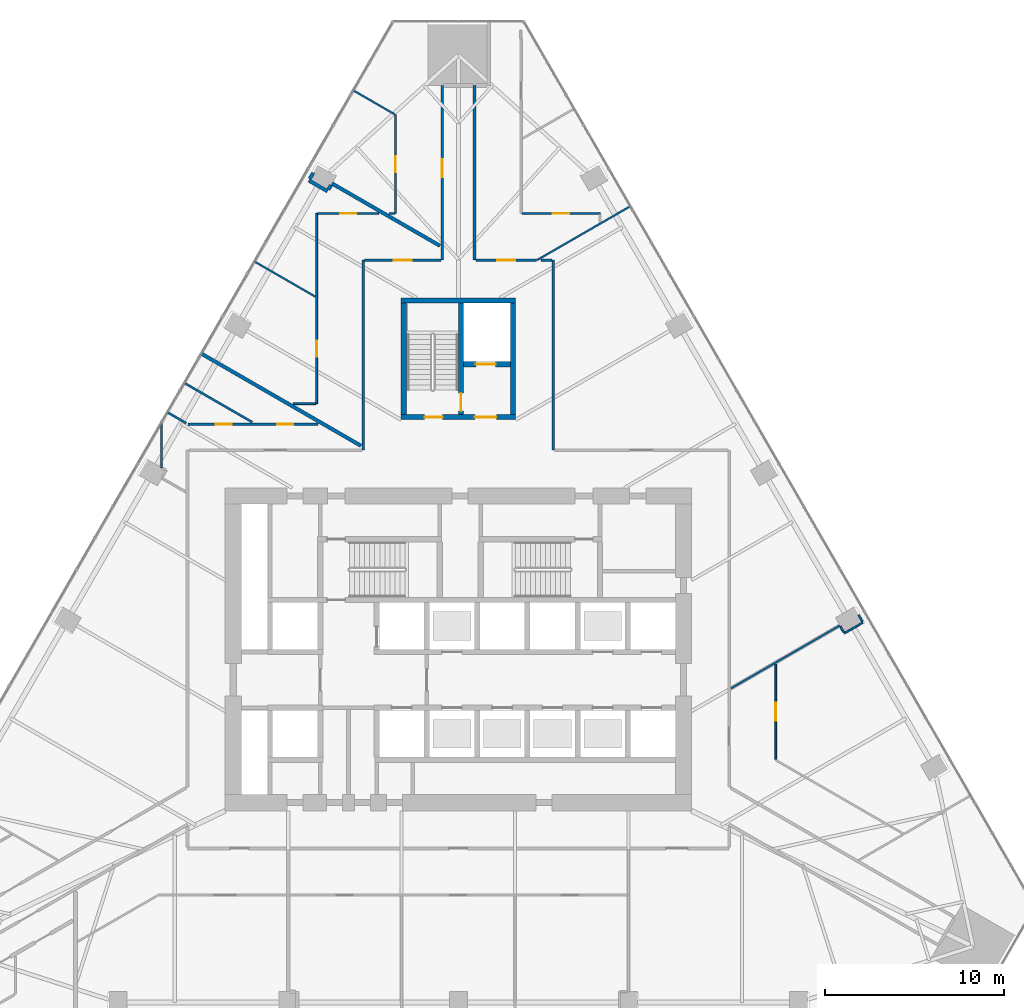
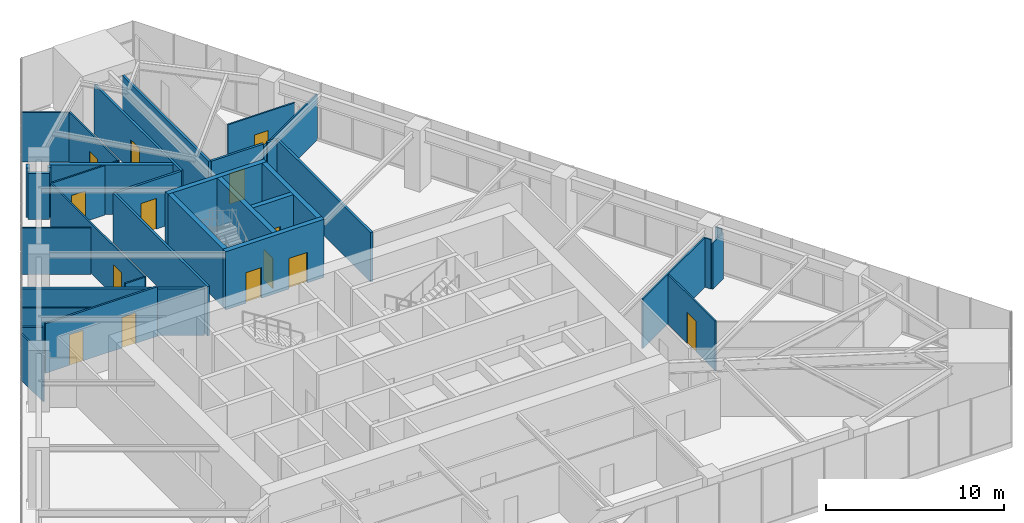
# One storey, part 18 of 21: 36 walls, 14 doors, 14 openings.
"""IFC4 building model written with IfcOpenShell, lengths in metres."""

from ifc_helpers import new_model, si_unit, direction, frame, frame_2d, origin, place, context, subcontext, project, spatial, rectangle, extrude, material, layer, layer_set, type_object, element, fill, save


model = new_model("IFC4")

# Units and contexts
model_context = context("Model", 3, precision=1e-05, world=origin(), true_north=direction((0.0, 1.0)))
body_context = subcontext(model_context, "Body", "Model", "MODEL_VIEW")
ifc_project = project(units=[si_unit("LENGTHUNIT", "METRE"), si_unit("AREAUNIT", "SQUARE_METRE"), si_unit("VOLUMEUNIT", "CUBIC_METRE"), si_unit("PLANEANGLEUNIT", "RADIAN"), si_unit("MASSUNIT", "GRAM", prefix="KILO")], contexts=[model_context])

# Site, building, storey
site_placement = place(None, origin())
site = spatial("IfcSite", under=ifc_project, at=site_placement, CompositionType="ELEMENT")
building_placement = place(site_placement, origin())
building = spatial("IfcBuilding", under=site, at=building_placement, Name="Firuza Gate Tower and Library", CompositionType="ELEMENT")
storey_placement = place(building_placement, frame((0.0, 0.0, 69.39990234375)))
storey = spatial("IfcBuildingStorey", under=building, at=storey_placement, Name="L15", CompositionType="ELEMENT", Elevation=69.39990234375)

# Wall, openings, doors
ifc_material_1 = material(Name="Concrete C80/95", Category="concrete")
ifc_layer_1 = layer(ifc_material_1, 0.300048828125)
ifc_layer_set_1 = layer_set([ifc_layer_1], Name="Core wall 300 C80/95")
wall_type_1 = type_object("IfcWallType", Name="Core wall 300 C80/95", PredefinedType="SHEAR", material=ifc_layer_set_1)
wall_1_placement = place(storey_placement, frame((71.800048828125, 87.949951171875, 0.0), z_axis=(0.0, 0.0, 1.0), x_axis=(1.0, 0.0, 0.0)))
wall_1 = element("IfcWall", 1, at=wall_1_placement, inside=storey, type_object=wall_type_1, Name="Core wall L15 34", PredefinedType="SHEAR", context=body_context, shape_type="SweptSolid", body=[
    extrude(rectangle(XDim=6.39990234375, YDim=0.300048828125, at=frame_2d((3.199951171875, 0.0))), origin(), (0.0, 0.0, 1.0), 4.0),
])
opening_1_placement = place(wall_1_placement, frame((1.324951171875, 0.0, 0.0)))
opening_1 = element("IfcOpeningElement", 2, at=opening_1_placement, cuts=wall_1, Name="Opening L15-K17", PredefinedType="OPENING", context=body_context, shape_type="SweptSolid", body=[
    extrude(rectangle(XDim=1.0, YDim=2.10009765625, at=frame_2d((0.5, 1.050048828125))), frame((0.0, 0.16015625, 0.0), z_axis=(0.0, -1.0, 0.0), x_axis=(1.0, 0.0, 0.0)), (0.0, 0.0, 1.0), 0.320068359375),
])
opening_2_placement = place(wall_1_placement, frame((4.125, 0.0, 0.0)))
opening_2 = element("IfcOpeningElement", 3, at=opening_2_placement, cuts=wall_1, Name="Opening L15-K19", PredefinedType="OPENING", context=body_context, shape_type="SweptSolid", body=[
    extrude(rectangle(XDim=1.199951171875, YDim=2.10009765625, at=frame_2d((0.60009765625, 1.050048828125))), frame((0.0, 0.16015625, 0.0), z_axis=(0.0, -1.0, 0.0), x_axis=(1.0, 0.0, 0.0)), (0.0, 0.0, 1.0), 0.320068359375),
])
ifc_material_2 = material(Name="Steel", Category="steel")
door_type_1 = type_object("IfcDoorType", Name="Fire door 1000x2100 FD90", OperationType="NOTDEFINED", PredefinedType="DOOR", material=ifc_material_2)
door_1_placement = place(opening_1_placement, origin())
door_1 = element("IfcDoor", 4, at=door_1_placement, inside=storey, type_object=door_type_1, Name="Door L15-K17", OperationType="SINGLE_SWING_RIGHT", OverallHeight=2.10009765625, OverallWidth=1.0, PredefinedType="DOOR", context=body_context, shape_type="SweptSolid", body=[
    extrude(rectangle(XDim=1.0, YDim=2.10009765625, at=frame_2d((0.5, 1.050048828125))), frame((0.0, 0.02490234375, 0.0), z_axis=(0.0, -1.0, 0.0), x_axis=(1.0, 0.0, 0.0)), (0.0, 0.0, 1.0), 0.050048828125),
])
fill(opening_1, door_1)
ifc_material_3 = material(Name="Steel", Category="steel")
door_type_2 = type_object("IfcDoorType", Name="Fire door 1200x2100 FD30S", OperationType="NOTDEFINED", PredefinedType="DOOR", material=ifc_material_3)
door_2_placement = place(opening_2_placement, origin())
door_2 = element("IfcDoor", 5, at=door_2_placement, inside=storey, type_object=door_type_2, Name="Door L15-K19", OperationType="SINGLE_SWING_RIGHT", OverallHeight=2.10009765625, OverallWidth=1.199951171875, PredefinedType="DOOR", context=body_context, shape_type="SweptSolid", body=[
    extrude(rectangle(XDim=1.199951171875, YDim=2.10009765625, at=frame_2d((0.60009765625, 1.050048828125))), frame((0.0, 0.02490234375, 0.0), z_axis=(0.0, -1.0, 0.0), x_axis=(1.0, 0.0, 0.0)), (0.0, 0.0, 1.0), 0.050048828125),
])
fill(opening_2, door_2)

# Walls
wall_2_placement = place(storey_placement, frame((71.800048828125, 94.449951171875, 0.0), z_axis=(0.0, 0.0, 1.0), x_axis=(1.0, 0.0, 0.0)))
element("IfcWall", 6, at=wall_2_placement, inside=storey, type_object=wall_type_1, Name="Core wall L15 35", PredefinedType="SHEAR", context=body_context, shape_type="SweptSolid", body=[
    extrude(rectangle(XDim=6.39990234375, YDim=0.300048828125, at=frame_2d((3.199951171875, 0.0))), origin(), (0.0, 0.0, 1.0), 4.0),
])
for number, where, z_axis, x_axis, name in (
    (7, (71.949951171875, 88.10009765625, 0.0), (0.0, 0.0, 1.0), (0.0, 1.0, 0.0), "Core wall L15 36"),
    (8, (78.050048828125, 88.10009765625, 0.0), (0.0, 0.0, 1.0), (0.0, 1.0, 0.0), "Core wall L15 37"),
):
    element("IfcWall", number, at=place(storey_placement, frame(where, z_axis=z_axis, x_axis=x_axis)), inside=storey, type_object=wall_type_1, Name=name, PredefinedType="SHEAR", context=body_context, shape_type="SweptSolid", body=[
        extrude(rectangle(XDim=6.199951171875, YDim=0.300048828125, at=frame_2d((3.10009765625, 0.0))), origin(), (0.0, 0.0, 1.0), 4.0),
    ])

# Wall, opening, door
wall_3_placement = place(storey_placement, frame((75.300048828125, 90.89990234375, 0.0), z_axis=(0.0, 0.0, 1.0), x_axis=(1.0, 0.0, 0.0)))
wall_3 = element("IfcWall", 9, at=wall_3_placement, inside=storey, type_object=wall_type_1, Name="Core wall L15 38", PredefinedType="SHEAR", context=body_context, shape_type="SweptSolid", body=[
    extrude(rectangle(XDim=2.599853515625, YDim=0.300048828125, at=frame_2d((1.2998046875, 0.0))), origin(), (0.0, 0.0, 1.0), 4.0),
])
opening_3_placement = place(wall_3_placement, frame((0.675048828125, 0.0, 0.0)))
opening_3 = element("IfcOpeningElement", 10, at=opening_3_placement, cuts=wall_3, Name="Opening LD-SV1-L15", PredefinedType="OPENING", context=body_context, shape_type="SweptSolid", body=[
    extrude(rectangle(XDim=1.10009765625, YDim=2.10009765625, at=frame_2d((0.550048828125, 1.050048828125))), frame((0.0, 0.16015625, 0.0), z_axis=(0.0, -1.0, 0.0), x_axis=(1.0, 0.0, 0.0)), (0.0, 0.0, 1.0), 0.320068359375),
])
ifc_material_4 = material(Name="Stainless steel", Category="steel")
door_type_3 = type_object("IfcDoorType", Name="Lift landing door 1100x2100", OperationType="DOUBLE_DOOR_SLIDING", PredefinedType="DOOR", material=ifc_material_4)
door_3_placement = place(opening_3_placement, origin())
door_3 = element("IfcDoor", 11, at=door_3_placement, inside=storey, type_object=door_type_3, Name="Landing door SV1 L15", OperationType="DOUBLE_DOOR_SLIDING", OverallHeight=2.10009765625, OverallWidth=1.10009765625, PredefinedType="DOOR", context=body_context, shape_type="SweptSolid", body=[
    extrude(rectangle(XDim=1.10009765625, YDim=2.10009765625, at=frame_2d((0.550048828125, 1.050048828125))), frame((0.0, 0.02490234375, 0.0), z_axis=(0.0, -1.0, 0.0), x_axis=(1.0, 0.0, 0.0)), (0.0, 0.0, 1.0), 0.050048828125),
])
fill(opening_3, door_3)

wall_4_placement = place(storey_placement, frame((75.14990234375, 88.10009765625, 0.0), z_axis=(0.0, 0.0, 1.0), x_axis=(0.0, 1.0, 0.0)))
wall_4 = element("IfcWall", 12, at=wall_4_placement, inside=storey, type_object=wall_type_1, Name="Core wall L15 39", PredefinedType="SHEAR", context=body_context, shape_type="SweptSolid", body=[
    extrude(rectangle(XDim=6.199951171875, YDim=0.300048828125, at=frame_2d((3.10009765625, 0.0))), origin(), (0.0, 0.0, 1.0), 4.0),
])
opening_4_placement = place(wall_4_placement, frame((0.18505859375, 0.0, 0.0)))
opening_4 = element("IfcOpeningElement", 13, at=opening_4_placement, cuts=wall_4, Name="Opening L15-K18", PredefinedType="OPENING", context=body_context, shape_type="SweptSolid", body=[
    extrude(rectangle(XDim=1.0, YDim=2.10009765625, at=frame_2d((0.5, 1.050048828125))), frame((0.0, 0.16015625, 0.0), z_axis=(0.0, -1.0, 0.0), x_axis=(1.0, 0.0, 0.0)), (0.0, 0.0, 1.0), 0.320068359375),
])
door_4_placement = place(opening_4_placement, origin())
door_4 = element("IfcDoor", 14, at=door_4_placement, inside=storey, type_object=door_type_1, Name="Door L15-K18", OperationType="SINGLE_SWING_LEFT", OverallHeight=2.10009765625, OverallWidth=1.0, PredefinedType="DOOR", context=body_context, shape_type="SweptSolid", body=[
    extrude(rectangle(XDim=1.0, YDim=2.10009765625, at=frame_2d((0.5, 1.050048828125))), frame((0.0, 0.02490234375, 0.0), z_axis=(0.0, -1.0, 0.0), x_axis=(1.0, 0.0, 0.0)), (0.0, 0.0, 1.0), 0.050048828125),
])
fill(opening_4, door_4)

ifc_material_5 = material(Name="Gypsum board partition")
ifc_layer_2 = layer(ifc_material_5, 0.14990234375)
ifc_layer_set_2 = layer_set([ifc_layer_2], Name="Corridor wall 150 double board on steel studs")
wall_type_2 = type_object("IfcWallType", Name="Corridor wall 150 double board on steel studs", PredefinedType="PARTITIONING", material=ifc_layer_set_2)
wall_5_placement = place(storey_placement, frame((74.02490234375, 96.699951171875, 0.0), z_axis=(0.0, 0.0, 1.0), x_axis=(-1.0, 0.0, 0.0)))
wall_5 = element("IfcWall", 15, at=wall_5_placement, inside=storey, type_object=wall_type_2, Name="f:L15:w008", PredefinedType="PARTITIONING", context=body_context, shape_type="SweptSolid", body=[
    extrude(rectangle(XDim=4.25, YDim=0.14990234375, at=frame_2d((2.125, 0.0))), origin(), (0.0, 0.0, 1.0), 3.400146484375),
])
opening_5_placement = place(wall_5_placement, frame((1.625, 0.0, 0.0)))
opening_5 = element("IfcOpeningElement", 16, at=opening_5_placement, cuts=wall_5, Name="Opening L15-12", PredefinedType="OPENING", context=body_context, shape_type="SweptSolid", body=[
    extrude(rectangle(XDim=1.0, YDim=2.10009765625, at=frame_2d((0.5, 1.050048828125))), frame((0.0, 0.0849609375, 0.0), z_axis=(0.0, -1.0, 0.0), x_axis=(1.0, 0.0, 0.0)), (0.0, 0.0, 1.0), 0.169921875),
])
ifc_material_6 = material(Name="Steel door and timber leaf", Category="steel")
door_type_4 = type_object("IfcDoorType", Name="Fire door 1000 x 2100 steel frame, timber leaf", OperationType="NOTDEFINED", PredefinedType="DOOR", material=ifc_material_6)
door_5_placement = place(opening_5_placement, origin())
door_5 = element("IfcDoor", 17, at=door_5_placement, inside=storey, type_object=door_type_4, Name="f:L15:d012", OperationType="SINGLE_SWING_LEFT", OverallHeight=2.10009765625, OverallWidth=1.0, PredefinedType="DOOR", context=body_context, shape_type="SweptSolid", body=[
    extrude(rectangle(XDim=1.0, YDim=2.10009765625, at=frame_2d((0.5, 1.050048828125))), frame((0.0, 0.02490234375, 0.0), z_axis=(0.0, -1.0, 0.0), x_axis=(1.0, 0.0, 0.0)), (0.0, 0.0, 1.0), 0.050048828125),
])
fill(opening_5, door_5)

wall_6_placement = place(storey_placement, frame((75.97509765625, 96.699951171875, 0.0), z_axis=(0.0, 0.0, 1.0), x_axis=(1.0, 0.0, 0.0)))
wall_6 = element("IfcWall", 18, at=wall_6_placement, inside=storey, type_object=wall_type_2, Name="f:L15:w009", PredefinedType="PARTITIONING", context=body_context, shape_type="SweptSolid", body=[
    extrude(rectangle(XDim=3.386962890625, YDim=0.14990234375, at=frame_2d((1.693359375, 0.0))), origin(), (0.0, 0.0, 1.0), 3.400146484375),
])
opening_6_placement = place(wall_6_placement, frame((1.193603515625, 0.0, 0.0)))
opening_6 = element("IfcOpeningElement", 19, at=opening_6_placement, cuts=wall_6, Name="Opening L15-13", PredefinedType="OPENING", context=body_context, shape_type="SweptSolid", body=[
    extrude(rectangle(XDim=1.0, YDim=2.10009765625, at=frame_2d((0.5, 1.050048828125))), frame((0.0, 0.0849609375, 0.0), z_axis=(0.0, -1.0, 0.0), x_axis=(1.0, 0.0, 0.0)), (0.0, 0.0, 1.0), 0.169921875),
])
door_6_placement = place(opening_6_placement, origin())
door_6 = element("IfcDoor", 20, at=door_6_placement, inside=storey, type_object=door_type_4, Name="f:L15:d013", OperationType="SINGLE_SWING_LEFT", OverallHeight=2.10009765625, OverallWidth=1.0, PredefinedType="DOOR", context=body_context, shape_type="SweptSolid", body=[
    extrude(rectangle(XDim=1.0, YDim=2.10009765625, at=frame_2d((0.5, 1.050048828125))), frame((0.0, 0.02490234375, 0.0), z_axis=(0.0, -1.0, 0.0), x_axis=(1.0, 0.0, 0.0)), (0.0, 0.0, 1.0), 0.050048828125),
])
fill(opening_6, door_6)

# Walls
wall_7_placement = place(storey_placement, frame((80.300048828125, 86.10009765625, 0.0), z_axis=(0.0, 0.0, 1.0), x_axis=(0.0, 1.0, 0.0)))
element("IfcWall", 21, at=wall_7_placement, inside=storey, type_object=wall_type_2, Name="f:L15:w035", PredefinedType="PARTITIONING", context=body_context, shape_type="SweptSolid", body=[
    extrude(rectangle(XDim=10.599365234375, YDim=0.14990234375, at=frame_2d((5.2998046875, 0.0))), origin(), (0.0, 0.0, 1.0), 3.400146484375),
])
wall_8_placement = place(storey_placement, frame((75.89990234375, 96.699951171875, 0.0), z_axis=(0.0, 0.0, 1.0), x_axis=(0.0, 1.0, 0.0)))
element("IfcWall", 22, at=wall_8_placement, inside=storey, type_object=wall_type_2, Name="f:L15:w040", PredefinedType="PARTITIONING", context=body_context, shape_type="SweptSolid", body=[
    extrude(rectangle(XDim=9.736572265625, YDim=0.14990234375, at=frame_2d((4.8681640625, 0.0))), origin(), (0.0, 0.0, 1.0), 3.400146484375),
])

# Wall, opening, door
wall_9_placement = place(storey_placement, frame((74.10009765625, 96.699951171875, 0.0), z_axis=(0.0, 0.0, 1.0), x_axis=(0.0, 1.0, 0.0)))
wall_9 = element("IfcWall", 23, at=wall_9_placement, inside=storey, type_object=wall_type_2, Name="f:L15:w041", PredefinedType="PARTITIONING", context=body_context, shape_type="SweptSolid", body=[
    extrude(rectangle(XDim=9.736083984375, YDim=0.14990234375, at=frame_2d((4.8681640625, 0.0))), origin(), (0.0, 0.0, 1.0), 3.400146484375),
])
opening_7_placement = place(wall_9_placement, frame((4.62890625, 0.0, 0.0)))
opening_7 = element("IfcOpeningElement", 24, at=opening_7_placement, cuts=wall_9, Name="Opening L15-25", PredefinedType="OPENING", context=body_context, shape_type="SweptSolid", body=[
    extrude(rectangle(XDim=1.0, YDim=2.10009765625, at=frame_2d((0.5, 1.050048828125))), frame((0.0, 0.0849609375, 0.0), z_axis=(0.0, -1.0, 0.0), x_axis=(1.0, 0.0, 0.0)), (0.0, 0.0, 1.0), 0.169921875),
])
door_7_placement = place(opening_7_placement, origin())
door_7 = element("IfcDoor", 25, at=door_7_placement, inside=storey, type_object=door_type_4, Name="f:L15:d025", OperationType="SINGLE_SWING_RIGHT", OverallHeight=2.10009765625, OverallWidth=1.0, PredefinedType="DOOR", context=body_context, shape_type="SweptSolid", body=[
    extrude(rectangle(XDim=1.0, YDim=2.10009765625, at=frame_2d((0.5, 1.050048828125))), frame((0.0, 0.02490234375, 0.0), z_axis=(0.0, -1.0, 0.0), x_axis=(1.0, 0.0, 0.0)), (0.0, 0.0, 1.0), 0.050048828125),
])
fill(opening_7, door_7)

# Walls
wall_10_placement = place(storey_placement, frame((69.699951171875, 86.10009765625, 0.0), z_axis=(0.0, 0.0, 1.0), x_axis=(0.0, 1.0, 0.0)))
element("IfcWall", 26, at=wall_10_placement, inside=storey, type_object=wall_type_2, Name="f:L15:w044", PredefinedType="PARTITIONING", context=body_context, shape_type="SweptSolid", body=[
    extrude(rectangle(XDim=10.599853515625, YDim=0.14990234375, at=frame_2d((5.2998046875, 0.0))), origin(), (0.0, 0.0, 1.0), 3.400146484375),
])
wall_11_placement = place(storey_placement, frame((79.6171875, 96.699951171875, 0.0), z_axis=(0.0, 0.0, 1.0), x_axis=(1.0, 0.0, 0.0)))
element("IfcWall", 27, at=wall_11_placement, inside=storey, type_object=wall_type_2, Name="f:L15:w074", PredefinedType="PARTITIONING", context=body_context, shape_type="SweptSolid", body=[
    extrude(rectangle(XDim=0.607177734375, YDim=0.14990234375, at=frame_2d((0.3037109375, 0.0))), origin(), (0.0, 0.0, 1.0), 3.400146484375),
])
ifc_material_7 = material(Name="Gypsum board partition")
ifc_layer_3 = layer(ifc_material_7, 0.199951171875)
ifc_layer_set_3 = layer_set([ifc_layer_3], Name="Demising wall 200 acoustic double stud")
wall_type_3 = type_object("IfcWallType", Name="Demising wall 200 acoustic double stud", PredefinedType="PARTITIONING", material=ifc_layer_set_3)
wall_12_placement = place(storey_placement, frame((67.761474609375, 100.63427734375, 0.0), z_axis=(0.0, 0.0, 1.0), x_axis=(0.500305662732, 0.865848857387, 0.0)))
element("IfcWall", 28, at=wall_12_placement, inside=storey, type_object=wall_type_3, Name="f:L15:w027", PredefinedType="PARTITIONING", context=body_context, shape_type="SweptSolid", body=[
    extrude(rectangle(XDim=0.289794921875, YDim=0.199951171875, at=frame_2d((0.14501953125, 0.0))), origin(), (0.0, 0.0, 1.0), 3.400146484375),
])
wall_13_placement = place(storey_placement, frame((66.720703125, 101.231689453125, 0.0), z_axis=(0.0, 0.0, 1.0), x_axis=(0.500080938595, 0.865978668822, 0.0)))
element("IfcWall", 29, at=wall_13_placement, inside=storey, type_object=wall_type_3, Name="f:L15:w028", PredefinedType="PARTITIONING", context=body_context, shape_type="SweptSolid", body=[
    extrude(rectangle(XDim=0.39306640625, YDim=0.199951171875, at=frame_2d((0.196533203125, 0.0))), origin(), (0.0, 0.0, 1.0), 3.400146484375),
])
wall_14_placement = place(storey_placement, frame((73.973388671875, 97.498779296875, 0.0), z_axis=(0.0, 0.0, 1.0), x_axis=(-0.866037536751, 0.499978984496, 0.0)))
element("IfcWall", 30, at=wall_14_placement, inside=storey, type_object=wall_type_3, Name="f:L15:w060", PredefinedType="PARTITIONING", context=body_context, shape_type="SweptSolid", body=[
    extrude(rectangle(XDim=6.947509765625, YDim=0.199951171875, at=frame_2d((3.4736328125, 0.0))), origin(), (0.0, 0.0, 1.0), 3.400146484375),
])
wall_15_placement = place(storey_placement, frame((67.70654296875, 100.539306640625, 0.0), z_axis=(0.0, 0.0, 1.0), x_axis=(-0.865955154139, 0.50012165622, 0.0)))
element("IfcWall", 31, at=wall_15_placement, inside=storey, type_object=wall_type_3, Name="f:L15:w061", PredefinedType="PARTITIONING", context=body_context, shape_type="SweptSolid", body=[
    extrude(rectangle(XDim=1.199951171875, YDim=0.199951171875, at=frame_2d((0.60009765625, 0.0))), origin(), (0.0, 0.0, 1.0), 3.1650390625),
])
wall_16_placement = place(storey_placement, frame((69.572998046875, 86.347900390625, 0.0), z_axis=(0.0, 0.0, 1.0), x_axis=(-0.866024495625, 0.500001572974, 0.0)))
element("IfcWall", 32, at=wall_16_placement, inside=storey, type_object=wall_type_3, Name="f:L15:w063", PredefinedType="PARTITIONING", context=body_context, shape_type="SweptSolid", body=[
    extrude(rectangle(XDim=10.27197265625, YDim=0.199951171875, at=frame_2d((5.135986328125, 0.0))), origin(), (0.0, 0.0, 1.0), 3.1650390625),
])
ifc_material_8 = material(Name="Gypsum board partition")
ifc_layer_4 = layer(ifc_material_8, 0.10009765625)
ifc_layer_set_4 = layer_set([ifc_layer_4], Name="Partition 100 gypsum board on steel studs")
wall_type_4 = type_object("IfcWallType", Name="Partition 100 gypsum board on steel studs", PredefinedType="PARTITIONING", material=ifc_layer_set_4)
wall_17_placement = place(storey_placement, frame((65.788818359375, 88.699951171875, 0.0), z_axis=(0.0, 0.0, 1.0), x_axis=(1.0, 0.0, 0.0)))
element("IfcWall", 33, at=wall_17_placement, inside=storey, type_object=wall_type_4, Name="f:L15:w007", PredefinedType="PARTITIONING", context=body_context, shape_type="SweptSolid", body=[
    extrude(rectangle(XDim=1.26123046875, YDim=0.10009765625, at=frame_2d((0.630615234375, 0.0))), origin(), (0.0, 0.0, 1.0), 3.400146484375),
])

# Wall, opening, door
wall_18_placement = place(storey_placement, frame((70.566650390625, 99.300048828125, 0.0), z_axis=(0.0, 0.0, 1.0), x_axis=(-1.0, 0.0, 0.0)))
wall_18 = element("IfcWall", 34, at=wall_18_placement, inside=storey, type_object=wall_type_4, Name="f:L15:w010", PredefinedType="PARTITIONING", context=body_context, shape_type="SweptSolid", body=[
    extrude(rectangle(XDim=3.416748046875, YDim=0.10009765625, at=frame_2d((1.70849609375, 0.0))), origin(), (0.0, 0.0, 1.0), 3.400146484375),
])
opening_8_placement = place(wall_18_placement, frame((1.25830078125, 0.0, 0.0)))
opening_8 = element("IfcOpeningElement", 35, at=opening_8_placement, cuts=wall_18, Name="Opening L15-14", PredefinedType="OPENING", context=body_context, shape_type="SweptSolid", body=[
    extrude(rectangle(XDim=0.89990234375, YDim=2.10009765625, at=frame_2d((0.449951171875, 1.050048828125))), frame((0.0, 0.06005859375, 0.0), z_axis=(0.0, -1.0, 0.0), x_axis=(1.0, 0.0, 0.0)), (0.0, 0.0, 1.0), 0.1201171875),
])
ifc_material_9 = material(Name="Timber door", Category="wood")
door_type_5 = type_object("IfcDoorType", Name="Door 900 x 2100 timber leaf", OperationType="NOTDEFINED", PredefinedType="DOOR", material=ifc_material_9)
door_8_placement = place(opening_8_placement, origin())
door_8 = element("IfcDoor", 36, at=door_8_placement, inside=storey, type_object=door_type_5, Name="f:L15:d014", OperationType="SINGLE_SWING_RIGHT", OverallHeight=2.10009765625, OverallWidth=0.89990234375, PredefinedType="DOOR", context=body_context, shape_type="SweptSolid", body=[
    extrude(rectangle(XDim=0.89990234375, YDim=2.10009765625, at=frame_2d((0.449951171875, 1.050048828125))), frame((0.0, 0.02490234375, 0.0), z_axis=(0.0, -1.0, 0.0), x_axis=(1.0, 0.0, 0.0)), (0.0, 0.0, 1.0), 0.050048828125),
])
fill(opening_8, door_8)

wall_19_placement = place(storey_placement, frame((78.550048828125, 99.300048828125, 0.0), z_axis=(0.0, 0.0, 1.0), x_axis=(1.0, 0.0, 0.0)))
wall_19 = element("IfcWall", 37, at=wall_19_placement, inside=storey, type_object=wall_type_4, Name="f:L15:w011", PredefinedType="PARTITIONING", context=body_context, shape_type="SweptSolid", body=[
    extrude(rectangle(XDim=4.349365234375, YDim=0.10009765625, at=frame_2d((2.1748046875, 0.0))), origin(), (0.0, 0.0, 1.0), 3.400146484375),
])
opening_9_placement = place(wall_19_placement, frame((1.724853515625, 0.0, 0.0)))
opening_9 = element("IfcOpeningElement", 38, at=opening_9_placement, cuts=wall_19, Name="Opening L15-15", PredefinedType="OPENING", context=body_context, shape_type="SweptSolid", body=[
    extrude(rectangle(XDim=0.89990234375, YDim=2.10009765625, at=frame_2d((0.449951171875, 1.050048828125))), frame((0.0, 0.06005859375, 0.0), z_axis=(0.0, -1.0, 0.0), x_axis=(1.0, 0.0, 0.0)), (0.0, 0.0, 1.0), 0.1201171875),
])
door_9_placement = place(opening_9_placement, origin())
door_9 = element("IfcDoor", 39, at=door_9_placement, inside=storey, type_object=door_type_5, Name="f:L15:d015", OperationType="SINGLE_SWING_RIGHT", OverallHeight=2.10009765625, OverallWidth=0.89990234375, PredefinedType="DOOR", context=body_context, shape_type="SweptSolid", body=[
    extrude(rectangle(XDim=0.89990234375, YDim=2.10009765625, at=frame_2d((0.449951171875, 1.050048828125))), frame((0.0, 0.02490234375, 0.0), z_axis=(0.0, -1.0, 0.0), x_axis=(1.0, 0.0, 0.0)), (0.0, 0.0, 1.0), 0.050048828125),
])
fill(opening_9, door_9)

# Walls
wall_20_placement = place(storey_placement, frame((96.521728515625, 75.89599609375, 0.0), z_axis=(0.0, 0.0, 1.0), x_axis=(0.865978732077, 0.500080829057, 0.0)))
element("IfcWall", 40, at=wall_20_placement, inside=storey, type_object=wall_type_4, Name="f:L15:w014", PredefinedType="PARTITIONING", context=body_context, shape_type="SweptSolid", body=[
    extrude(rectangle(XDim=1.198974609375, YDim=0.10009765625, at=frame_2d((0.599609375, 0.0))), origin(), (0.0, 0.0, 1.0), 3.1650390625),
])
wall_21_placement = place(storey_placement, frame((90.20068359375, 72.823974609375, 0.0), z_axis=(0.0, 0.0, 1.0), x_axis=(0.866028979627, 0.499993806408, 0.0)))
element("IfcWall", 41, at=wall_21_placement, inside=storey, type_object=wall_type_4, Name="f:L15:w015", PredefinedType="PARTITIONING", context=body_context, shape_type="SweptSolid", body=[
    extrude(rectangle(XDim=7.00927734375, YDim=0.10009765625, at=frame_2d((3.504638671875, 0.0))), origin(), (0.0, 0.0, 1.0), 3.400146484375),
])
wall_22_placement = place(storey_placement, frame((79.386962890625, 96.699951171875, 0.0), z_axis=(0.0, 0.0, 1.0), x_axis=(0.866032365835, 0.499987941182, 0.0)))
element("IfcWall", 42, at=wall_22_placement, inside=storey, type_object=wall_type_4, Name="f:L15:w023", PredefinedType="PARTITIONING", context=body_context, shape_type="SweptSolid", body=[
    extrude(rectangle(XDim=5.996826171875, YDim=0.10009765625, at=frame_2d((2.99853515625, 0.0))), origin(), (0.0, 0.0, 1.0), 3.1650390625),
])

# Wall, opening, door
wall_23_placement = place(storey_placement, frame((92.699951171875, 74.1787109375, 0.0), z_axis=(0.0, 0.0, 1.0), x_axis=(0.0, -1.0, 0.0)))
wall_23 = element("IfcWall", 43, at=wall_23_placement, inside=storey, type_object=wall_type_4, Name="f:L15:w029", PredefinedType="PARTITIONING", context=body_context, shape_type="SweptSolid", body=[
    extrude(rectangle(XDim=5.298583984375, YDim=0.10009765625, at=frame_2d((2.6494140625, 0.0))), origin(), (0.0, 0.0, 1.0), 3.400146484375),
])
opening_10_placement = place(wall_23_placement, frame((2.1494140625, 0.0, 0.0)))
opening_10 = element("IfcOpeningElement", 44, at=opening_10_placement, cuts=wall_23, Name="Opening L15-22", PredefinedType="OPENING", context=body_context, shape_type="SweptSolid", body=[
    extrude(rectangle(XDim=1.0, YDim=2.10009765625, at=frame_2d((0.5, 1.050048828125))), frame((0.0, 0.06005859375, 0.0), z_axis=(0.0, -1.0, 0.0), x_axis=(1.0, 0.0, 0.0)), (0.0, 0.0, 1.0), 0.1201171875),
])
ifc_material_10 = material(Name="Timber door", Category="wood")
door_type_6 = type_object("IfcDoorType", Name="Door 1000 x 2100 timber leaf", OperationType="NOTDEFINED", PredefinedType="DOOR", material=ifc_material_10)
door_10_placement = place(opening_10_placement, origin())
door_10 = element("IfcDoor", 45, at=door_10_placement, inside=storey, type_object=door_type_6, Name="f:L15:d022", OperationType="SINGLE_SWING_LEFT", OverallHeight=2.10009765625, OverallWidth=1.0, PredefinedType="DOOR", context=body_context, shape_type="SweptSolid", body=[
    extrude(rectangle(XDim=1.0, YDim=2.10009765625, at=frame_2d((0.5, 1.050048828125))), frame((0.0, 0.02490234375, 0.0), z_axis=(0.0, -1.0, 0.0), x_axis=(1.0, 0.0, 0.0)), (0.0, 0.0, 1.0), 0.050048828125),
])
fill(opening_10, door_10)

wall_24_placement = place(storey_placement, frame((71.5, 104.80078125, 0.0), z_axis=(0.0, 0.0, 1.0), x_axis=(0.0, -1.0, 0.0)))
wall_24 = element("IfcWall", 46, at=wall_24_placement, inside=storey, type_object=wall_type_4, Name="f:L15:w043", PredefinedType="PARTITIONING", context=body_context, shape_type="SweptSolid", body=[
    extrude(rectangle(XDim=5.500732421875, YDim=0.10009765625, at=frame_2d((2.75048828125, 0.0))), origin(), (0.0, 0.0, 1.0), 3.400146484375),
])
opening_11_placement = place(wall_24_placement, frame((2.300537109375, 0.0, 0.0)))
opening_11 = element("IfcOpeningElement", 47, at=opening_11_placement, cuts=wall_24, Name="Opening L15-26", PredefinedType="OPENING", context=body_context, shape_type="SweptSolid", body=[
    extrude(rectangle(XDim=0.89990234375, YDim=2.10009765625, at=frame_2d((0.449951171875, 1.050048828125))), frame((0.0, 0.06005859375, 0.0), z_axis=(0.0, -1.0, 0.0), x_axis=(1.0, 0.0, 0.0)), (0.0, 0.0, 1.0), 0.1201171875),
])
door_11_placement = place(opening_11_placement, origin())
door_11 = element("IfcDoor", 48, at=door_11_placement, inside=storey, type_object=door_type_5, Name="f:L15:d026", OperationType="SINGLE_SWING_RIGHT", OverallHeight=2.10009765625, OverallWidth=0.89990234375, PredefinedType="DOOR", context=body_context, shape_type="SweptSolid", body=[
    extrude(rectangle(XDim=0.89990234375, YDim=2.10009765625, at=frame_2d((0.449951171875, 1.050048828125))), frame((0.0, 0.02490234375, 0.0), z_axis=(0.0, -1.0, 0.0), x_axis=(1.0, 0.0, 0.0)), (0.0, 0.0, 1.0), 0.050048828125),
])
fill(opening_11, door_11)

wall_25_placement = place(storey_placement, frame((67.10009765625, 99.300048828125, 0.0), z_axis=(0.0, 0.0, 1.0), x_axis=(0.0, -1.0, 0.0)))
wall_25 = element("IfcWall", 49, at=wall_25_placement, inside=storey, type_object=wall_type_4, Name="f:L15:w045", PredefinedType="PARTITIONING", context=body_context, shape_type="SweptSolid", body=[
    extrude(rectangle(XDim=10.60009765625, YDim=0.10009765625, at=frame_2d((5.300048828125, 0.0))), origin(), (0.0, 0.0, 1.0), 3.400146484375),
])
opening_12_placement = place(wall_25_placement, frame((7.087646484375, 0.0, 0.0)))
opening_12 = element("IfcOpeningElement", 50, at=opening_12_placement, cuts=wall_25, Name="Opening L15-27", PredefinedType="OPENING", context=body_context, shape_type="SweptSolid", body=[
    extrude(rectangle(XDim=0.89990234375, YDim=2.10009765625, at=frame_2d((0.449951171875, 1.050048828125))), frame((0.0, 0.06005859375, 0.0), z_axis=(0.0, -1.0, 0.0), x_axis=(1.0, 0.0, 0.0)), (0.0, 0.0, 1.0), 0.1201171875),
])
door_12_placement = place(opening_12_placement, origin())
door_12 = element("IfcDoor", 51, at=door_12_placement, inside=storey, type_object=door_type_5, Name="f:L15:d027", OperationType="SINGLE_SWING_LEFT", OverallHeight=2.10009765625, OverallWidth=0.89990234375, PredefinedType="DOOR", context=body_context, shape_type="SweptSolid", body=[
    extrude(rectangle(XDim=0.89990234375, YDim=2.10009765625, at=frame_2d((0.449951171875, 1.050048828125))), frame((0.0, 0.02490234375, 0.0), z_axis=(0.0, -1.0, 0.0), x_axis=(1.0, 0.0, 0.0)), (0.0, 0.0, 1.0), 0.050048828125),
])
fill(opening_12, door_12)

# Walls
wall_26_placement = place(storey_placement, frame((58.449951171875, 85.1328125, 0.0), z_axis=(0.0, 0.0, 1.0), x_axis=(0.0, 1.0, 0.0)))
element("IfcWall", 52, at=wall_26_placement, inside=storey, type_object=wall_type_4, Name="f:L15:w050", PredefinedType="PARTITIONING", context=body_context, shape_type="SweptSolid", body=[
    extrude(rectangle(XDim=2.49365234375, YDim=0.10009765625, at=frame_2d((1.246826171875, 0.0))), origin(), (0.0, 0.0, 1.0), 3.1650390625),
])
wall_27_placement = place(storey_placement, frame((97.53564453125, 76.539306640625, 0.0), z_axis=(0.0, 0.0, 1.0), x_axis=(-0.499879237999, 0.866095114533, 0.0)))
element("IfcWall", 53, at=wall_27_placement, inside=storey, type_object=wall_type_4, Name="f:L15:w054", PredefinedType="PARTITIONING", context=body_context, shape_type="SweptSolid", body=[
    extrude(rectangle(XDim=0.44921875, YDim=0.10009765625, at=frame_2d((0.224609375, 0.0))), origin(), (0.0, 0.0, 1.0), 3.400146484375),
])
wall_28_placement = place(storey_placement, frame((96.496337890625, 75.939208984375, 0.0), z_axis=(0.0, 0.0, 1.0), x_axis=(-0.499757756434, 0.866165218006, 0.0)))
element("IfcWall", 54, at=wall_28_placement, inside=storey, type_object=wall_type_4, Name="f:L15:w055", PredefinedType="PARTITIONING", context=body_context, shape_type="SweptSolid", body=[
    extrude(rectangle(XDim=0.399169921875, YDim=0.10009765625, at=frame_2d((0.19970703125, 0.0))), origin(), (0.0, 0.0, 1.0), 3.400146484375),
])
wall_29_placement = place(storey_placement, frame((71.449951171875, 104.82958984375, 0.0), z_axis=(0.0, 0.0, 1.0), x_axis=(-0.866023371876, 0.500003519352, 0.0)))
element("IfcWall", 55, at=wall_29_placement, inside=storey, type_object=wall_type_4, Name="f:L15:w059", PredefinedType="PARTITIONING", context=body_context, shape_type="SweptSolid", body=[
    extrude(rectangle(XDim=2.65673828125, YDim=0.10009765625, at=frame_2d((1.328369140625, 0.0))), origin(), (0.0, 0.0, 1.0), 3.400146484375),
])
wall_30_placement = place(storey_placement, frame((67.02392578125, 94.664794921875, 0.0), z_axis=(0.0, 0.0, 1.0), x_axis=(-0.866046116492, 0.499964122822, 0.0)))
element("IfcWall", 56, at=wall_30_placement, inside=storey, type_object=wall_type_4, Name="f:L15:w062", PredefinedType="PARTITIONING", context=body_context, shape_type="SweptSolid", body=[
    extrude(rectangle(XDim=3.906005859375, YDim=0.10009765625, at=frame_2d((1.953125, 0.0))), origin(), (0.0, 0.0, 1.0), 3.1650390625),
])
wall_31_placement = place(storey_placement, frame((71.139892578125, 99.300048828125, 0.0), z_axis=(0.0, 0.0, 1.0), x_axis=(1.0, 0.0, 0.0)))
element("IfcWall", 57, at=wall_31_placement, inside=storey, type_object=wall_type_4, Name="f:L15:w075", PredefinedType="PARTITIONING", context=body_context, shape_type="SweptSolid", body=[
    extrude(rectangle(XDim=0.31005859375, YDim=0.10009765625, at=frame_2d((0.155029296875, 0.0))), origin(), (0.0, 0.0, 1.0), 3.400146484375),
])

# Wall, openings, doors
ifc_material_11 = material(Name="Gypsum board partition")
ifc_layer_5 = layer(ifc_material_11, 0.1201171875)
ifc_layer_set_5 = layer_set([ifc_layer_5], Name="Wet-area partition 120 moisture-resistant board")
wall_type_5 = type_object("IfcWallType", Name="Wet-area partition 120 moisture-resistant board", PredefinedType="PARTITIONING", material=ifc_layer_set_5)
wall_32_placement = place(storey_placement, frame((67.1806640625, 87.550048828125, 0.0), z_axis=(0.0, 0.0, 1.0), x_axis=(-1.0, 0.0, 0.0)))
wall_32 = element("IfcWall", 58, at=wall_32_placement, inside=storey, type_object=wall_type_5, Name="f:L15:w006", PredefinedType="PARTITIONING", context=body_context, shape_type="SweptSolid", body=[
    extrude(rectangle(XDim=7.248779296875, YDim=0.1201171875, at=frame_2d((3.62451171875, 0.0))), origin(), (0.0, 0.0, 1.0), 3.400146484375),
])
opening_13_placement = place(wall_32_placement, frame((1.3876953125, 0.0, 0.0)))
opening_13 = element("IfcOpeningElement", 59, at=opening_13_placement, cuts=wall_32, Name="Opening L15-10", PredefinedType="OPENING", context=body_context, shape_type="SweptSolid", body=[
    extrude(rectangle(XDim=0.89990234375, YDim=2.10009765625, at=frame_2d((0.449951171875, 1.050048828125))), frame((0.0, 0.070068359375, 0.0), z_axis=(0.0, -1.0, 0.0), x_axis=(1.0, 0.0, 0.0)), (0.0, 0.0, 1.0), 0.14013671875),
])
opening_14_placement = place(wall_32_placement, frame((4.807373046875, 0.0, 0.0)))
opening_14 = element("IfcOpeningElement", 60, at=opening_14_placement, cuts=wall_32, Name="Opening L15-11", PredefinedType="OPENING", context=body_context, shape_type="SweptSolid", body=[
    extrude(rectangle(XDim=0.89990234375, YDim=2.10009765625, at=frame_2d((0.449951171875, 1.050048828125))), frame((0.0, 0.070068359375, 0.0), z_axis=(0.0, -1.0, 0.0), x_axis=(1.0, 0.0, 0.0)), (0.0, 0.0, 1.0), 0.14013671875),
])
door_13_placement = place(opening_13_placement, origin())
door_13 = element("IfcDoor", 61, at=door_13_placement, inside=storey, type_object=door_type_5, Name="f:L15:d010", OperationType="SINGLE_SWING_LEFT", OverallHeight=2.10009765625, OverallWidth=0.89990234375, PredefinedType="DOOR", context=body_context, shape_type="SweptSolid", body=[
    extrude(rectangle(XDim=0.89990234375, YDim=2.10009765625, at=frame_2d((0.449951171875, 1.050048828125))), frame((0.0, 0.02490234375, 0.0), z_axis=(0.0, -1.0, 0.0), x_axis=(1.0, 0.0, 0.0)), (0.0, 0.0, 1.0), 0.050048828125),
])
fill(opening_13, door_13)
door_14_placement = place(opening_14_placement, origin())
door_14 = element("IfcDoor", 62, at=door_14_placement, inside=storey, type_object=door_type_5, Name="f:L15:d011", OperationType="SINGLE_SWING_RIGHT", OverallHeight=2.10009765625, OverallWidth=0.89990234375, PredefinedType="DOOR", context=body_context, shape_type="SweptSolid", body=[
    extrude(rectangle(XDim=0.89990234375, YDim=2.10009765625, at=frame_2d((0.449951171875, 1.050048828125))), frame((0.0, 0.02490234375, 0.0), z_axis=(0.0, -1.0, 0.0), x_axis=(1.0, 0.0, 0.0)), (0.0, 0.0, 1.0), 0.050048828125),
])
fill(opening_14, door_14)

# Walls
wall_33_placement = place(storey_placement, frame((63.511962890625, 87.664794921875, 0.0), z_axis=(0.0, 0.0, 1.0), x_axis=(-0.866014185868, 0.500019429497, 0.0)))
element("IfcWall", 63, at=wall_33_placement, inside=storey, type_object=wall_type_5, Name="f:L15:w064", PredefinedType="PARTITIONING", context=body_context, shape_type="SweptSolid", body=[
    extrude(rectangle(XDim=4.364501953125, YDim=0.1201171875, at=frame_2d((2.18212890625, 0.0))), origin(), (0.0, 0.0, 1.0), 3.1650390625),
])
wall_34_placement = place(storey_placement, frame((59.82763671875, 87.609619140625, 0.0), z_axis=(0.0, 0.0, 1.0), x_axis=(-0.865996090227, 0.500050769134, 0.0)))
element("IfcWall", 64, at=wall_34_placement, inside=storey, type_object=wall_type_5, Name="f:L15:w066", PredefinedType="PARTITIONING", context=body_context, shape_type="SweptSolid", body=[
    extrude(rectangle(XDim=1.20166015625, YDim=0.1201171875, at=frame_2d((0.600830078125, 0.0))), origin(), (0.0, 0.0, 1.0), 3.1650390625),
])

save(model, "model.ifc")
